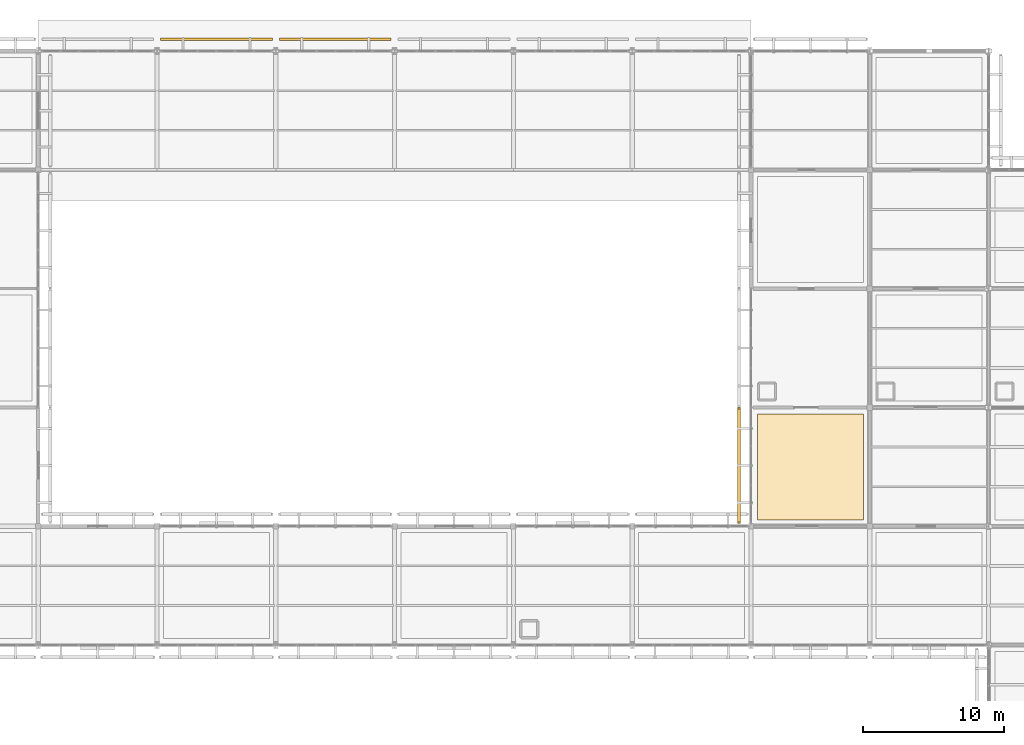
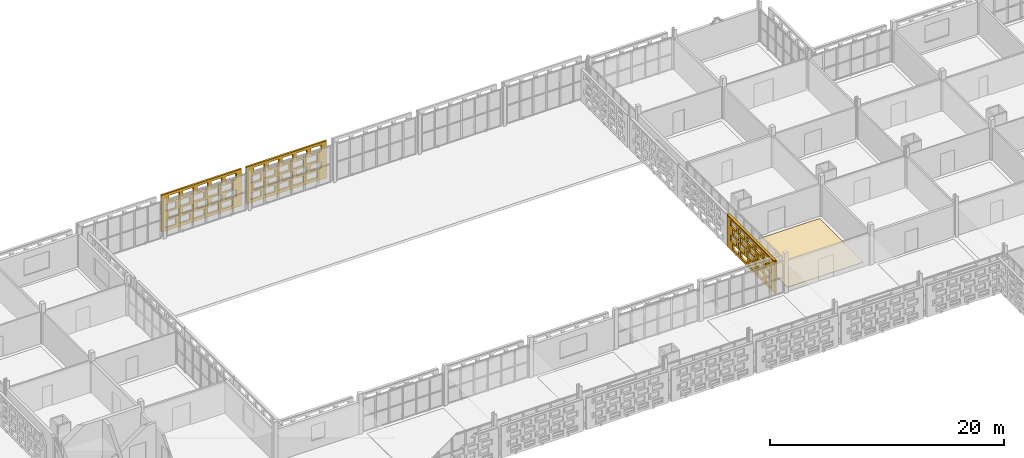
# One storey, part 147 of 166: 4 coverings, 1 shading device, 60 openings.
"""IFC4 building model written with IfcOpenShell, lengths in metres."""

import ifcopenshell
import ifcopenshell.guid

model = None  # the IFC model being written
_history = None  # IfcOwnerHistory: only IFC2X3 demands one
_inside = {}  # id of a spatial element -> (the spatial element, [elements in it])
_under = {}  # id of a project, library or spatial element -> (it, [spatial elements below it])
_declared = {}  # id of a project -> (the project, [libraries it declares])
_typed = {}  # id of a type object -> (the type object, [elements of that type])
_made_of = {}  # id of a material, layer set ... -> (it, [elements and type objects made of it])


def new_model(schema):
    """Start an empty IFC model of exactly this schema.

    Asked for "IFC4X3", IfcOpenShell would pick the latest addendum, in which some entities
    have other attributes; the version numbers below select the first issue.
    IFC2X3 requires an IfcOwnerHistory on every rooted entity: one is made here for all.
    """
    global model, _history
    if schema == "IFC4X3":
        model = ifcopenshell.file(schema_version=(4, 3, 0, 0))
    else:
        model = ifcopenshell.file(schema=schema)
    _inside.clear()
    _under.clear()
    _declared.clear()
    _typed.clear()
    _made_of.clear()
    _history = None
    if model.schema == "IFC2X3":
        org = make("IfcOrganization", Name="unknown")
        user = make(
            "IfcPersonAndOrganization",
            ThePerson=make("IfcPerson", FamilyName="unknown"),
            TheOrganization=org,
        )
        app = make(
            "IfcApplication",
            ApplicationDeveloper=org,
            Version="unknown",
            ApplicationFullName="unknown",
            ApplicationIdentifier="unknown",
        )
        _history = make(
            "IfcOwnerHistory",
            OwningUser=user,
            OwningApplication=app,
            ChangeAction="ADDED",
            CreationDate=0,
        )
    return model


def make(cls, **values):
    """One entity of the class cls with the attributes given. An attribute that is None is left unset."""
    return model.create_entity(
        cls, **{name: value for name, value in values.items() if value is not None}
    )


def rooted(cls, **values):
    """An entity with a GlobalId (a new one), such as an element, a storey or a relation."""
    return make(cls, GlobalId=ifcopenshell.guid.new(), OwnerHistory=_history, **values)


def si_unit(unit_type, name, prefix=None):
    """IfcSIUnit, for example si_unit("LENGTHUNIT", "METRE", prefix="MILLI")."""
    return make("IfcSIUnit", UnitType=unit_type, Prefix=prefix, Name=name)


def assignment(units):
    """IfcUnitAssignment: the units of a project."""
    return None if units is None else make("IfcUnitAssignment", Units=units)


def point(xyz):
    """IfcCartesianPoint."""
    return None if xyz is None else make("IfcCartesianPoint", Coordinates=xyz)


def direction(xyz):
    """IfcDirection."""
    return None if xyz is None else make("IfcDirection", DirectionRatios=xyz)


def frame(location, z_axis=None, x_axis=None):
    """IfcAxis2Placement3D, a coordinate frame: its origin and axes. An axis left out is left unset."""
    return make(
        "IfcAxis2Placement3D",
        Location=point(location),
        Axis=direction(z_axis),
        RefDirection=direction(x_axis),
    )


def frame_2d(location, x_axis=None):
    """IfcAxis2Placement2D, a coordinate frame in the plane: its origin and x axis."""
    return make(
        "IfcAxis2Placement2D", Location=point(location), RefDirection=direction(x_axis)
    )


def origin():
    """The frame at (0, 0, 0) with its axes left unset."""
    return frame((0.0, 0.0, 0.0))


def origin_2d():
    """The frame at (0, 0) in the plane with its x axis left unset."""
    return frame_2d((0.0, 0.0))


def place(relative_to, where):
    """IfcLocalPlacement: puts the frame where relative to a parent placement (None: the world)."""
    return make(
        "IfcLocalPlacement", PlacementRelTo=relative_to, RelativePlacement=where
    )


def context(
    kind, dimensions, precision=None, world=None, true_north=None, identifier=None
):
    """IfcGeometricRepresentationContext, for example the 3D "Model" context."""
    return make(
        "IfcGeometricRepresentationContext",
        ContextIdentifier=identifier,
        ContextType=kind,
        CoordinateSpaceDimension=dimensions,
        Precision=precision,
        WorldCoordinateSystem=world,
        TrueNorth=true_north,
    )


def subcontext(parent, identifier, kind, view, scale=None):
    """IfcGeometricRepresentationSubContext, for example "Body" below "Model"."""
    return make(
        "IfcGeometricRepresentationSubContext",
        ContextIdentifier=identifier,
        ContextType=kind,
        ParentContext=parent,
        TargetScale=scale,
        TargetView=view,
    )


def project(units=None, contexts=None):
    """IfcProject with its units and contexts."""
    return rooted(
        "IfcProject",
        Name="project",
        RepresentationContexts=contexts,
        UnitsInContext=assignment(units),
    )


def spatial(cls, under=None, at=None, **own):
    """A site, building, storey or space (cls), placed at a placement, below another one or the project."""
    s = rooted(cls, ObjectPlacement=at, **own)
    if under is not None:
        _under.setdefault(under.id(), (under, []))[1].append(s)
    return s


def profile(cls, at=None, kind="AREA", **sizes):
    """A parametric profile (cls). Its sizes go by their IFC names, for example OverallWidth=200.0."""
    return make(cls, ProfileType=kind, Position=at, **sizes)


def rectangle(**sizes):
    """IfcRectangleProfileDef."""
    return profile("IfcRectangleProfileDef", **sizes)


def extrude(swept, where, along, depth):
    """IfcExtrudedAreaSolid: the profile swept, set in the frame where, extruded along a direction by depth."""
    return make(
        "IfcExtrudedAreaSolid",
        SweptArea=swept,
        Position=where,
        ExtrudedDirection=direction(along),
        Depth=depth,
    )


def shape(context_of_items, identifier, shape_type, items):
    """IfcShapeRepresentation: the items that make up one representation, for example the "Body"."""
    return make(
        "IfcShapeRepresentation",
        ContextOfItems=context_of_items,
        RepresentationIdentifier=identifier,
        RepresentationType=shape_type,
        Items=items,
    )


def material(Name=None, Category=None):
    """IfcMaterial."""
    return make("IfcMaterial", Name=Name, Category=Category)


def layer(
    of_material, thickness, ventilated=None, Name=None, Category=None, Priority=None
):
    """IfcMaterialLayer: one layer of a wall or slab, of a material (None: an air gap)."""
    return make(
        "IfcMaterialLayer",
        Material=of_material,
        LayerThickness=thickness,
        IsVentilated=ventilated,
        Name=Name,
        Category=Category,
        Priority=Priority,
    )


def layer_set(layers, Name=None):
    """IfcMaterialLayerSet."""
    return make("IfcMaterialLayerSet", MaterialLayers=layers, LayerSetName=Name)


def made_of(thing, what):
    """Note that an element or type object is made of a material, layer set ...; save() writes the relation."""
    if what is not None:
        _made_of.setdefault(what.id(), (what, []))[1].append(thing)
    return thing


def type_object(cls, material=None, **own):
    """A type object (cls), such as IfcWallType, which elements share."""
    return made_of(rooted(cls, **own), material)


def element(
    cls,
    number,
    at=None,
    inside=None,
    cuts=None,
    type_object=None,
    material=None,
    context=None,
    identifier="Body",
    shape_type=None,
    held_by="IfcProductDefinitionShape",
    body=None,
    shapes=None,
    **own,
):
    """One element of the class cls, such as IfcWall. Its Tag is "e" and its number.

    at: its placement. inside: the storey or other place that contains it. cuts: it is an
    opening in that element (IfcRelVoidsElement). A single representation is given by context,
    identifier, shape_type and body (its items); several are given by shapes. held_by: the class
    of the entity that holds the representations. save() writes the other relations.
    """
    e = rooted(cls, Tag="e%d" % number, ObjectPlacement=at, **own)
    if body is not None:
        shapes = [shape(context, identifier, shape_type, body)]
    if shapes is not None:
        e.Representation = make(held_by, Representations=shapes)
    if inside is not None:
        _inside.setdefault(inside.id(), (inside, []))[1].append(e)
    if cuts is not None:
        rooted(
            "IfcRelVoidsElement", RelatingBuildingElement=cuts, RelatedOpeningElement=e
        )
    if type_object is not None:
        _typed.setdefault(type_object.id(), (type_object, []))[1].append(e)
    return made_of(e, material)


def aggregate(whole, parts):
    """IfcRelAggregates: a whole, such as a stair, and the parts it consists of."""
    return rooted("IfcRelAggregates", RelatingObject=whole, RelatedObjects=parts)


def save(model, path):
    """Write the relations noted so far, then the file.

    IfcRelAggregates (storeys below a building ...), IfcRelContainedInSpatialStructure (elements
    in a storey), IfcRelDefinesByType, IfcRelAssociatesMaterial and IfcRelDeclares: one each for
    every whole, place, type object, material and project.
    """
    for whole, parts in _under.values():
        aggregate(whole, parts)
    for where, things in _inside.values():
        rooted(
            "IfcRelContainedInSpatialStructure",
            RelatedElements=things,
            RelatingStructure=where,
        )
    for kind, things in _typed.values():
        rooted("IfcRelDefinesByType", RelatedObjects=things, RelatingType=kind)
    for what, things in _made_of.values():
        rooted("IfcRelAssociatesMaterial", RelatedObjects=things, RelatingMaterial=what)
    for by, libraries in _declared.values():
        rooted("IfcRelDeclares", RelatingContext=by, RelatedDefinitions=libraries)
    model.write(path)


model = new_model("IFC4")

# Units and contexts
model_context = context("Model", 3, precision=1e-05, world=origin(), true_north=direction((0.0, 1.0)))
body_context = subcontext(model_context, "Body", "Model", "MODEL_VIEW")
ifc_project = project(units=[si_unit("LENGTHUNIT", "METRE"), si_unit("AREAUNIT", "SQUARE_METRE"), si_unit("VOLUMEUNIT", "CUBIC_METRE"), si_unit("PLANEANGLEUNIT", "RADIAN"), si_unit("MASSUNIT", "GRAM", prefix="KILO")], contexts=[model_context])

# Site, building, storey
site_placement = place(None, origin())
site = spatial("IfcSite", under=ifc_project, at=site_placement, CompositionType="ELEMENT")
building_placement = place(site_placement, origin())
building = spatial("IfcBuilding", under=site, at=building_placement, Name="Varnapada Polytechnic", CompositionType="ELEMENT")
storey_placement = place(building_placement, frame((0.0, 0.0, 9.60009765625)))
storey = spatial("IfcBuildingStorey", under=building, at=storey_placement, Name="L02", CompositionType="ELEMENT", Elevation=9.60009765625)

# Covering
ifc_material_1 = material(Name="End-Grain Timber Studio Block Flooring", Category="wood")
ifc_layer_1 = layer(ifc_material_1, 0.054931640625)
ifc_layer_set_1 = layer_set([ifc_layer_1], Name="End-Grain Timber Studio Block Flooring")
covering_type_1 = type_object("IfcCoveringType", Name="Floor Finish FLR-04", PredefinedType="FLOORING", material=ifc_layer_set_1)
covering_1_placement = place(storey_placement, frame((121.800048828125, 96.60009765625, 0.0), z_axis=(0.0, 0.0, 1.0), x_axis=(1.0, 0.0, 0.0)))
element("IfcCovering", 1, at=covering_1_placement, inside=storey, type_object=covering_type_1, Name="L02 floor finish panel (15,12)", PredefinedType="FLOORING", context=body_context, shape_type="SweptSolid", body=[
    extrude(rectangle(XDim=7.5, YDim=7.5, at=origin_2d()), origin(), (0.0, 0.0, 1.0), 0.054931640625),
])

# Covering, openings
ifc_material_2 = material(Name="Earth-toned architectural terracotta screen block", Category="masonry")
ifc_layer_2 = layer(ifc_material_2, 0.1201171875)
ifc_layer_set_2 = layer_set([ifc_layer_2], Name="Earth-toned architectural terracotta screen block")
covering_type_2 = type_object("IfcCoveringType", Name="Terracotta Screen Cladding CLD-01", PredefinedType="CLADDING", material=ifc_layer_set_2)
covering_2_placement = place(storey_placement, frame((116.75, 92.590087890625, 0.0), z_axis=(0.0, 0.0, 1.0), x_axis=(0.0, 1.0, 0.0)))
covering_2 = element("IfcCovering", 2, at=covering_2_placement, inside=storey, type_object=covering_type_2, Name="L02 perforated terracotta block screen (71)", PredefinedType="CLADDING", context=body_context, shape_type="SweptSolid", body=[
    extrude(rectangle(XDim=8.2099609375, YDim=0.179931640625, at=frame_2d((4.10498046875, 0.0))), origin(), (0.0, 0.0, 1.0), 3.31982421875),
])
opening_1_placement = place(covering_2_placement, frame((0.60498046875, 0.0, 0.265625)))
element("IfcOpeningElement", 3, at=opening_1_placement, cuts=covering_2, Name="Screen perforation TBS-L02-070.1", PredefinedType="OPENING", context=body_context, shape_type="SweptSolid", body=[
    extrude(rectangle(XDim=1.0400390625, YDim=0.5810546875, at=frame_2d((0.52001953125, 0.29052734375))), frame((0.0, 0.099853515625, 0.0), z_axis=(0.0, -1.0, 0.0), x_axis=(1.0, 0.0, 0.0)), (0.0, 0.0, 1.0), 0.199951171875),
])
opening_2_placement = place(covering_2_placement, frame((2.0048828125, 0.0, 0.265625)))
element("IfcOpeningElement", 4, at=opening_2_placement, cuts=covering_2, Name="Screen perforation TBS-L02-070.2", PredefinedType="OPENING", context=body_context, shape_type="SweptSolid", body=[
    extrude(rectangle(XDim=1.0400390625, YDim=0.5810546875, at=frame_2d((0.52001953125, 0.29052734375))), frame((0.0, 0.099853515625, 0.0), z_axis=(0.0, -1.0, 0.0), x_axis=(1.0, 0.0, 0.0)), (0.0, 0.0, 1.0), 0.199951171875),
])
opening_3_placement = place(covering_2_placement, frame((3.405029296875, 0.0, 0.265625)))
element("IfcOpeningElement", 5, at=opening_3_placement, cuts=covering_2, Name="Screen perforation TBS-L02-070.3", PredefinedType="OPENING", context=body_context, shape_type="SweptSolid", body=[
    extrude(rectangle(XDim=1.0400390625, YDim=0.5810546875, at=frame_2d((0.52001953125, 0.29052734375))), frame((0.0, 0.099853515625, 0.0), z_axis=(0.0, -1.0, 0.0), x_axis=(1.0, 0.0, 0.0)), (0.0, 0.0, 1.0), 0.199951171875),
])
opening_4_placement = place(covering_2_placement, frame((4.804931640625, 0.0, 0.265625)))
element("IfcOpeningElement", 6, at=opening_4_placement, cuts=covering_2, Name="Screen perforation TBS-L02-070.4", PredefinedType="OPENING", context=body_context, shape_type="SweptSolid", body=[
    extrude(rectangle(XDim=1.0400390625, YDim=0.5810546875, at=frame_2d((0.52001953125, 0.29052734375))), frame((0.0, 0.099853515625, 0.0), z_axis=(0.0, -1.0, 0.0), x_axis=(1.0, 0.0, 0.0)), (0.0, 0.0, 1.0), 0.199951171875),
])
opening_5_placement = place(covering_2_placement, frame((6.205078125, 0.0, 0.265625)))
element("IfcOpeningElement", 7, at=opening_5_placement, cuts=covering_2, Name="Screen perforation TBS-L02-070.5", PredefinedType="OPENING", context=body_context, shape_type="SweptSolid", body=[
    extrude(rectangle(XDim=1.0400390625, YDim=0.5810546875, at=frame_2d((0.52001953125, 0.29052734375))), frame((0.0, 0.099853515625, 0.0), z_axis=(0.0, -1.0, 0.0), x_axis=(1.0, 0.0, 0.0)), (0.0, 0.0, 1.0), 0.199951171875),
])
opening_6_placement = place(covering_2_placement, frame((0.965087890625, 0.0, 1.0126953125)))
element("IfcOpeningElement", 8, at=opening_6_placement, cuts=covering_2, Name="Screen perforation TBS-L02-070.6", PredefinedType="OPENING", context=body_context, shape_type="SweptSolid", body=[
    extrude(rectangle(XDim=1.0400390625, YDim=0.5810546875, at=frame_2d((0.52001953125, 0.29052734375))), frame((0.0, 0.099853515625, 0.0), z_axis=(0.0, -1.0, 0.0), x_axis=(1.0, 0.0, 0.0)), (0.0, 0.0, 1.0), 0.199951171875),
])
opening_7_placement = place(covering_2_placement, frame((2.364990234375, 0.0, 1.0126953125)))
element("IfcOpeningElement", 9, at=opening_7_placement, cuts=covering_2, Name="Screen perforation TBS-L02-070.7", PredefinedType="OPENING", context=body_context, shape_type="SweptSolid", body=[
    extrude(rectangle(XDim=1.0400390625, YDim=0.5810546875, at=frame_2d((0.52001953125, 0.29052734375))), frame((0.0, 0.099853515625, 0.0), z_axis=(0.0, -1.0, 0.0), x_axis=(1.0, 0.0, 0.0)), (0.0, 0.0, 1.0), 0.199951171875),
])
opening_8_placement = place(covering_2_placement, frame((3.764892578125, 0.0, 1.0126953125)))
element("IfcOpeningElement", 10, at=opening_8_placement, cuts=covering_2, Name="Screen perforation TBS-L02-070.8", PredefinedType="OPENING", context=body_context, shape_type="SweptSolid", body=[
    extrude(rectangle(XDim=1.0400390625, YDim=0.5810546875, at=frame_2d((0.52001953125, 0.29052734375))), frame((0.0, 0.099853515625, 0.0), z_axis=(0.0, -1.0, 0.0), x_axis=(1.0, 0.0, 0.0)), (0.0, 0.0, 1.0), 0.199951171875),
])
opening_9_placement = place(covering_2_placement, frame((5.1650390625, 0.0, 1.0126953125)))
element("IfcOpeningElement", 11, at=opening_9_placement, cuts=covering_2, Name="Screen perforation TBS-L02-070.9", PredefinedType="OPENING", context=body_context, shape_type="SweptSolid", body=[
    extrude(rectangle(XDim=1.0400390625, YDim=0.5810546875, at=frame_2d((0.52001953125, 0.29052734375))), frame((0.0, 0.099853515625, 0.0), z_axis=(0.0, -1.0, 0.0), x_axis=(1.0, 0.0, 0.0)), (0.0, 0.0, 1.0), 0.199951171875),
])
opening_10_placement = place(covering_2_placement, frame((6.56494140625, 0.0, 1.0126953125)))
element("IfcOpeningElement", 12, at=opening_10_placement, cuts=covering_2, Name="Screen perforation TBS-L02-070.10", PredefinedType="OPENING", context=body_context, shape_type="SweptSolid", body=[
    extrude(rectangle(XDim=1.0400390625, YDim=0.5810546875, at=frame_2d((0.52001953125, 0.29052734375))), frame((0.0, 0.099853515625, 0.0), z_axis=(0.0, -1.0, 0.0), x_axis=(1.0, 0.0, 0.0)), (0.0, 0.0, 1.0), 0.199951171875),
])
opening_11_placement = place(covering_2_placement, frame((0.60498046875, 0.0, 1.759521484375)))
element("IfcOpeningElement", 13, at=opening_11_placement, cuts=covering_2, Name="Screen perforation TBS-L02-070.11", PredefinedType="OPENING", context=body_context, shape_type="SweptSolid", body=[
    extrude(rectangle(XDim=1.0400390625, YDim=0.5810546875, at=frame_2d((0.52001953125, 0.29052734375))), frame((0.0, 0.099853515625, 0.0), z_axis=(0.0, -1.0, 0.0), x_axis=(1.0, 0.0, 0.0)), (0.0, 0.0, 1.0), 0.199951171875),
])
opening_12_placement = place(covering_2_placement, frame((2.0048828125, 0.0, 1.759521484375)))
element("IfcOpeningElement", 14, at=opening_12_placement, cuts=covering_2, Name="Screen perforation TBS-L02-070.12", PredefinedType="OPENING", context=body_context, shape_type="SweptSolid", body=[
    extrude(rectangle(XDim=1.0400390625, YDim=0.5810546875, at=frame_2d((0.52001953125, 0.29052734375))), frame((0.0, 0.099853515625, 0.0), z_axis=(0.0, -1.0, 0.0), x_axis=(1.0, 0.0, 0.0)), (0.0, 0.0, 1.0), 0.199951171875),
])
opening_13_placement = place(covering_2_placement, frame((3.405029296875, 0.0, 1.759521484375)))
element("IfcOpeningElement", 15, at=opening_13_placement, cuts=covering_2, Name="Screen perforation TBS-L02-070.13", PredefinedType="OPENING", context=body_context, shape_type="SweptSolid", body=[
    extrude(rectangle(XDim=1.0400390625, YDim=0.5810546875, at=frame_2d((0.52001953125, 0.29052734375))), frame((0.0, 0.099853515625, 0.0), z_axis=(0.0, -1.0, 0.0), x_axis=(1.0, 0.0, 0.0)), (0.0, 0.0, 1.0), 0.199951171875),
])
opening_14_placement = place(covering_2_placement, frame((4.804931640625, 0.0, 1.759521484375)))
element("IfcOpeningElement", 16, at=opening_14_placement, cuts=covering_2, Name="Screen perforation TBS-L02-070.14", PredefinedType="OPENING", context=body_context, shape_type="SweptSolid", body=[
    extrude(rectangle(XDim=1.0400390625, YDim=0.5810546875, at=frame_2d((0.52001953125, 0.29052734375))), frame((0.0, 0.099853515625, 0.0), z_axis=(0.0, -1.0, 0.0), x_axis=(1.0, 0.0, 0.0)), (0.0, 0.0, 1.0), 0.199951171875),
])
opening_15_placement = place(covering_2_placement, frame((6.205078125, 0.0, 1.759521484375)))
element("IfcOpeningElement", 17, at=opening_15_placement, cuts=covering_2, Name="Screen perforation TBS-L02-070.15", PredefinedType="OPENING", context=body_context, shape_type="SweptSolid", body=[
    extrude(rectangle(XDim=1.0400390625, YDim=0.5810546875, at=frame_2d((0.52001953125, 0.29052734375))), frame((0.0, 0.099853515625, 0.0), z_axis=(0.0, -1.0, 0.0), x_axis=(1.0, 0.0, 0.0)), (0.0, 0.0, 1.0), 0.199951171875),
])
opening_16_placement = place(covering_2_placement, frame((0.965087890625, 0.0, 2.506591796875)))
element("IfcOpeningElement", 18, at=opening_16_placement, cuts=covering_2, Name="Screen perforation TBS-L02-070.16", PredefinedType="OPENING", context=body_context, shape_type="SweptSolid", body=[
    extrude(rectangle(XDim=1.0400390625, YDim=0.5810546875, at=frame_2d((0.52001953125, 0.29052734375))), frame((0.0, 0.099853515625, 0.0), z_axis=(0.0, -1.0, 0.0), x_axis=(1.0, 0.0, 0.0)), (0.0, 0.0, 1.0), 0.199951171875),
])
opening_17_placement = place(covering_2_placement, frame((2.364990234375, 0.0, 2.506591796875)))
element("IfcOpeningElement", 19, at=opening_17_placement, cuts=covering_2, Name="Screen perforation TBS-L02-070.17", PredefinedType="OPENING", context=body_context, shape_type="SweptSolid", body=[
    extrude(rectangle(XDim=1.0400390625, YDim=0.5810546875, at=frame_2d((0.52001953125, 0.29052734375))), frame((0.0, 0.099853515625, 0.0), z_axis=(0.0, -1.0, 0.0), x_axis=(1.0, 0.0, 0.0)), (0.0, 0.0, 1.0), 0.199951171875),
])
opening_18_placement = place(covering_2_placement, frame((3.764892578125, 0.0, 2.506591796875)))
element("IfcOpeningElement", 20, at=opening_18_placement, cuts=covering_2, Name="Screen perforation TBS-L02-070.18", PredefinedType="OPENING", context=body_context, shape_type="SweptSolid", body=[
    extrude(rectangle(XDim=1.0400390625, YDim=0.5810546875, at=frame_2d((0.52001953125, 0.29052734375))), frame((0.0, 0.099853515625, 0.0), z_axis=(0.0, -1.0, 0.0), x_axis=(1.0, 0.0, 0.0)), (0.0, 0.0, 1.0), 0.199951171875),
])
opening_19_placement = place(covering_2_placement, frame((5.1650390625, 0.0, 2.506591796875)))
element("IfcOpeningElement", 21, at=opening_19_placement, cuts=covering_2, Name="Screen perforation TBS-L02-070.19", PredefinedType="OPENING", context=body_context, shape_type="SweptSolid", body=[
    extrude(rectangle(XDim=1.0400390625, YDim=0.5810546875, at=frame_2d((0.52001953125, 0.29052734375))), frame((0.0, 0.099853515625, 0.0), z_axis=(0.0, -1.0, 0.0), x_axis=(1.0, 0.0, 0.0)), (0.0, 0.0, 1.0), 0.199951171875),
])
opening_20_placement = place(covering_2_placement, frame((6.56494140625, 0.0, 2.506591796875)))
element("IfcOpeningElement", 22, at=opening_20_placement, cuts=covering_2, Name="Screen perforation TBS-L02-070.20", PredefinedType="OPENING", context=body_context, shape_type="SweptSolid", body=[
    extrude(rectangle(XDim=1.0400390625, YDim=0.5810546875, at=frame_2d((0.52001953125, 0.29052734375))), frame((0.0, 0.099853515625, 0.0), z_axis=(0.0, -1.0, 0.0), x_axis=(1.0, 0.0, 0.0)), (0.0, 0.0, 1.0), 0.199951171875),
])

covering_3_placement = place(storey_placement, frame((75.85009765625, 126.85009765625, 0.0), z_axis=(0.0, 0.0, 1.0), x_axis=(1.0, 0.0, 0.0)))
covering_3 = element("IfcCovering", 23, at=covering_3_placement, inside=storey, type_object=covering_type_2, Name="L02 high-bay workshop north terracotta screen 10", PredefinedType="CLADDING", context=body_context, shape_type="SweptSolid", body=[
    extrude(rectangle(XDim=7.89990234375, YDim=0.179931640625, at=frame_2d((3.949951171875, 0.0))), origin(), (0.0, 0.0, 1.0), 3.849853515625),
])
opening_21_placement = place(covering_3_placement, frame((0.3701171875, 0.0, 0.30810546875)))
element("IfcOpeningElement", 24, at=opening_21_placement, cuts=covering_3, Name="Screen perforation TBS-WK-L02-09.1", PredefinedType="OPENING", context=body_context, shape_type="SweptSolid", body=[
    extrude(rectangle(XDim=1.0400390625, YDim=0.673583984375, at=frame_2d((0.52001953125, 0.3369140625))), frame((0.0, 0.099853515625, 0.0), z_axis=(0.0, -1.0, 0.0), x_axis=(1.0, 0.0, 0.0)), (0.0, 0.0, 1.0), 0.199951171875),
])
opening_22_placement = place(covering_3_placement, frame((1.77001953125, 0.0, 0.30810546875)))
element("IfcOpeningElement", 25, at=opening_22_placement, cuts=covering_3, Name="Screen perforation TBS-WK-L02-09.2", PredefinedType="OPENING", context=body_context, shape_type="SweptSolid", body=[
    extrude(rectangle(XDim=1.0400390625, YDim=0.673583984375, at=frame_2d((0.52001953125, 0.3369140625))), frame((0.0, 0.099853515625, 0.0), z_axis=(0.0, -1.0, 0.0), x_axis=(1.0, 0.0, 0.0)), (0.0, 0.0, 1.0), 0.199951171875),
])
opening_23_placement = place(covering_3_placement, frame((3.169921875, 0.0, 0.30810546875)))
element("IfcOpeningElement", 26, at=opening_23_placement, cuts=covering_3, Name="Screen perforation TBS-WK-L02-09.3", PredefinedType="OPENING", context=body_context, shape_type="SweptSolid", body=[
    extrude(rectangle(XDim=1.0400390625, YDim=0.673583984375, at=frame_2d((0.52001953125, 0.3369140625))), frame((0.0, 0.099853515625, 0.0), z_axis=(0.0, -1.0, 0.0), x_axis=(1.0, 0.0, 0.0)), (0.0, 0.0, 1.0), 0.199951171875),
])
opening_24_placement = place(covering_3_placement, frame((4.570068359375, 0.0, 0.30810546875)))
element("IfcOpeningElement", 27, at=opening_24_placement, cuts=covering_3, Name="Screen perforation TBS-WK-L02-09.4", PredefinedType="OPENING", context=body_context, shape_type="SweptSolid", body=[
    extrude(rectangle(XDim=1.0400390625, YDim=0.673583984375, at=frame_2d((0.52001953125, 0.3369140625))), frame((0.0, 0.099853515625, 0.0), z_axis=(0.0, -1.0, 0.0), x_axis=(1.0, 0.0, 0.0)), (0.0, 0.0, 1.0), 0.199951171875),
])
opening_25_placement = place(covering_3_placement, frame((5.969970703125, 0.0, 0.30810546875)))
element("IfcOpeningElement", 28, at=opening_25_placement, cuts=covering_3, Name="Screen perforation TBS-WK-L02-09.5", PredefinedType="OPENING", context=body_context, shape_type="SweptSolid", body=[
    extrude(rectangle(XDim=1.0400390625, YDim=0.673583984375, at=frame_2d((0.52001953125, 0.3369140625))), frame((0.0, 0.099853515625, 0.0), z_axis=(0.0, -1.0, 0.0), x_axis=(1.0, 0.0, 0.0)), (0.0, 0.0, 1.0), 0.199951171875),
])
opening_26_placement = place(covering_3_placement, frame((0.72998046875, 0.0, 1.17431640625)))
element("IfcOpeningElement", 29, at=opening_26_placement, cuts=covering_3, Name="Screen perforation TBS-WK-L02-09.6", PredefinedType="OPENING", context=body_context, shape_type="SweptSolid", body=[
    extrude(rectangle(XDim=1.0400390625, YDim=0.673583984375, at=frame_2d((0.52001953125, 0.3369140625))), frame((0.0, 0.099853515625, 0.0), z_axis=(0.0, -1.0, 0.0), x_axis=(1.0, 0.0, 0.0)), (0.0, 0.0, 1.0), 0.199951171875),
])
opening_27_placement = place(covering_3_placement, frame((2.1298828125, 0.0, 1.17431640625)))
element("IfcOpeningElement", 30, at=opening_27_placement, cuts=covering_3, Name="Screen perforation TBS-WK-L02-09.7", PredefinedType="OPENING", context=body_context, shape_type="SweptSolid", body=[
    extrude(rectangle(XDim=1.0400390625, YDim=0.673583984375, at=frame_2d((0.52001953125, 0.3369140625))), frame((0.0, 0.099853515625, 0.0), z_axis=(0.0, -1.0, 0.0), x_axis=(1.0, 0.0, 0.0)), (0.0, 0.0, 1.0), 0.199951171875),
])
opening_28_placement = place(covering_3_placement, frame((3.530029296875, 0.0, 1.17431640625)))
element("IfcOpeningElement", 31, at=opening_28_placement, cuts=covering_3, Name="Screen perforation TBS-WK-L02-09.8", PredefinedType="OPENING", context=body_context, shape_type="SweptSolid", body=[
    extrude(rectangle(XDim=1.0400390625, YDim=0.673583984375, at=frame_2d((0.52001953125, 0.3369140625))), frame((0.0, 0.099853515625, 0.0), z_axis=(0.0, -1.0, 0.0), x_axis=(1.0, 0.0, 0.0)), (0.0, 0.0, 1.0), 0.199951171875),
])
opening_29_placement = place(covering_3_placement, frame((4.929931640625, 0.0, 1.17431640625)))
element("IfcOpeningElement", 32, at=opening_29_placement, cuts=covering_3, Name="Screen perforation TBS-WK-L02-09.9", PredefinedType="OPENING", context=body_context, shape_type="SweptSolid", body=[
    extrude(rectangle(XDim=1.0400390625, YDim=0.673583984375, at=frame_2d((0.52001953125, 0.3369140625))), frame((0.0, 0.099853515625, 0.0), z_axis=(0.0, -1.0, 0.0), x_axis=(1.0, 0.0, 0.0)), (0.0, 0.0, 1.0), 0.199951171875),
])
opening_30_placement = place(covering_3_placement, frame((6.330078125, 0.0, 1.17431640625)))
element("IfcOpeningElement", 33, at=opening_30_placement, cuts=covering_3, Name="Screen perforation TBS-WK-L02-09.10", PredefinedType="OPENING", context=body_context, shape_type="SweptSolid", body=[
    extrude(rectangle(XDim=1.0400390625, YDim=0.673583984375, at=frame_2d((0.52001953125, 0.3369140625))), frame((0.0, 0.099853515625, 0.0), z_axis=(0.0, -1.0, 0.0), x_axis=(1.0, 0.0, 0.0)), (0.0, 0.0, 1.0), 0.199951171875),
])
opening_31_placement = place(covering_3_placement, frame((0.3701171875, 0.0, 2.04052734375)))
element("IfcOpeningElement", 34, at=opening_31_placement, cuts=covering_3, Name="Screen perforation TBS-WK-L02-09.11", PredefinedType="OPENING", context=body_context, shape_type="SweptSolid", body=[
    extrude(rectangle(XDim=1.0400390625, YDim=0.673583984375, at=frame_2d((0.52001953125, 0.3369140625))), frame((0.0, 0.099853515625, 0.0), z_axis=(0.0, -1.0, 0.0), x_axis=(1.0, 0.0, 0.0)), (0.0, 0.0, 1.0), 0.199951171875),
])
opening_32_placement = place(covering_3_placement, frame((1.77001953125, 0.0, 2.04052734375)))
element("IfcOpeningElement", 35, at=opening_32_placement, cuts=covering_3, Name="Screen perforation TBS-WK-L02-09.12", PredefinedType="OPENING", context=body_context, shape_type="SweptSolid", body=[
    extrude(rectangle(XDim=1.0400390625, YDim=0.673583984375, at=frame_2d((0.52001953125, 0.3369140625))), frame((0.0, 0.099853515625, 0.0), z_axis=(0.0, -1.0, 0.0), x_axis=(1.0, 0.0, 0.0)), (0.0, 0.0, 1.0), 0.199951171875),
])
opening_33_placement = place(covering_3_placement, frame((3.169921875, 0.0, 2.04052734375)))
element("IfcOpeningElement", 36, at=opening_33_placement, cuts=covering_3, Name="Screen perforation TBS-WK-L02-09.13", PredefinedType="OPENING", context=body_context, shape_type="SweptSolid", body=[
    extrude(rectangle(XDim=1.0400390625, YDim=0.673583984375, at=frame_2d((0.52001953125, 0.3369140625))), frame((0.0, 0.099853515625, 0.0), z_axis=(0.0, -1.0, 0.0), x_axis=(1.0, 0.0, 0.0)), (0.0, 0.0, 1.0), 0.199951171875),
])
opening_34_placement = place(covering_3_placement, frame((4.570068359375, 0.0, 2.04052734375)))
element("IfcOpeningElement", 37, at=opening_34_placement, cuts=covering_3, Name="Screen perforation TBS-WK-L02-09.14", PredefinedType="OPENING", context=body_context, shape_type="SweptSolid", body=[
    extrude(rectangle(XDim=1.0400390625, YDim=0.673583984375, at=frame_2d((0.52001953125, 0.3369140625))), frame((0.0, 0.099853515625, 0.0), z_axis=(0.0, -1.0, 0.0), x_axis=(1.0, 0.0, 0.0)), (0.0, 0.0, 1.0), 0.199951171875),
])
opening_35_placement = place(covering_3_placement, frame((5.969970703125, 0.0, 2.04052734375)))
element("IfcOpeningElement", 38, at=opening_35_placement, cuts=covering_3, Name="Screen perforation TBS-WK-L02-09.15", PredefinedType="OPENING", context=body_context, shape_type="SweptSolid", body=[
    extrude(rectangle(XDim=1.0400390625, YDim=0.673583984375, at=frame_2d((0.52001953125, 0.3369140625))), frame((0.0, 0.099853515625, 0.0), z_axis=(0.0, -1.0, 0.0), x_axis=(1.0, 0.0, 0.0)), (0.0, 0.0, 1.0), 0.199951171875),
])
opening_36_placement = place(covering_3_placement, frame((0.72998046875, 0.0, 2.90673828125)))
element("IfcOpeningElement", 39, at=opening_36_placement, cuts=covering_3, Name="Screen perforation TBS-WK-L02-09.16", PredefinedType="OPENING", context=body_context, shape_type="SweptSolid", body=[
    extrude(rectangle(XDim=1.0400390625, YDim=0.673583984375, at=frame_2d((0.52001953125, 0.3369140625))), frame((0.0, 0.099853515625, 0.0), z_axis=(0.0, -1.0, 0.0), x_axis=(1.0, 0.0, 0.0)), (0.0, 0.0, 1.0), 0.199951171875),
])
opening_37_placement = place(covering_3_placement, frame((2.1298828125, 0.0, 2.90673828125)))
element("IfcOpeningElement", 40, at=opening_37_placement, cuts=covering_3, Name="Screen perforation TBS-WK-L02-09.17", PredefinedType="OPENING", context=body_context, shape_type="SweptSolid", body=[
    extrude(rectangle(XDim=1.0400390625, YDim=0.673583984375, at=frame_2d((0.52001953125, 0.3369140625))), frame((0.0, 0.099853515625, 0.0), z_axis=(0.0, -1.0, 0.0), x_axis=(1.0, 0.0, 0.0)), (0.0, 0.0, 1.0), 0.199951171875),
])
opening_38_placement = place(covering_3_placement, frame((3.530029296875, 0.0, 2.90673828125)))
element("IfcOpeningElement", 41, at=opening_38_placement, cuts=covering_3, Name="Screen perforation TBS-WK-L02-09.18", PredefinedType="OPENING", context=body_context, shape_type="SweptSolid", body=[
    extrude(rectangle(XDim=1.0400390625, YDim=0.673583984375, at=frame_2d((0.52001953125, 0.3369140625))), frame((0.0, 0.099853515625, 0.0), z_axis=(0.0, -1.0, 0.0), x_axis=(1.0, 0.0, 0.0)), (0.0, 0.0, 1.0), 0.199951171875),
])
opening_39_placement = place(covering_3_placement, frame((4.929931640625, 0.0, 2.90673828125)))
element("IfcOpeningElement", 42, at=opening_39_placement, cuts=covering_3, Name="Screen perforation TBS-WK-L02-09.19", PredefinedType="OPENING", context=body_context, shape_type="SweptSolid", body=[
    extrude(rectangle(XDim=1.0400390625, YDim=0.673583984375, at=frame_2d((0.52001953125, 0.3369140625))), frame((0.0, 0.099853515625, 0.0), z_axis=(0.0, -1.0, 0.0), x_axis=(1.0, 0.0, 0.0)), (0.0, 0.0, 1.0), 0.199951171875),
])
opening_40_placement = place(covering_3_placement, frame((6.330078125, 0.0, 2.90673828125)))
element("IfcOpeningElement", 43, at=opening_40_placement, cuts=covering_3, Name="Screen perforation TBS-WK-L02-09.20", PredefinedType="OPENING", context=body_context, shape_type="SweptSolid", body=[
    extrude(rectangle(XDim=1.0400390625, YDim=0.673583984375, at=frame_2d((0.52001953125, 0.3369140625))), frame((0.0, 0.099853515625, 0.0), z_axis=(0.0, -1.0, 0.0), x_axis=(1.0, 0.0, 0.0)), (0.0, 0.0, 1.0), 0.199951171875),
])

covering_4_placement = place(storey_placement, frame((84.25, 126.85009765625, 0.0), z_axis=(0.0, 0.0, 1.0), x_axis=(1.0, 0.0, 0.0)))
covering_4 = element("IfcCovering", 44, at=covering_4_placement, inside=storey, type_object=covering_type_2, Name="L02 high-bay workshop north terracotta screen 11", PredefinedType="CLADDING", context=body_context, shape_type="SweptSolid", body=[
    extrude(rectangle(XDim=7.89990234375, YDim=0.179931640625, at=frame_2d((3.949951171875, 0.0))), origin(), (0.0, 0.0, 1.0), 3.849853515625),
])
opening_41_placement = place(covering_4_placement, frame((0.3701171875, 0.0, 0.30810546875)))
element("IfcOpeningElement", 45, at=opening_41_placement, cuts=covering_4, Name="Screen perforation TBS-WK-L02-10.1", PredefinedType="OPENING", context=body_context, shape_type="SweptSolid", body=[
    extrude(rectangle(XDim=1.0400390625, YDim=0.673583984375, at=frame_2d((0.52001953125, 0.3369140625))), frame((0.0, 0.099853515625, 0.0), z_axis=(0.0, -1.0, 0.0), x_axis=(1.0, 0.0, 0.0)), (0.0, 0.0, 1.0), 0.199951171875),
])
opening_42_placement = place(covering_4_placement, frame((1.77001953125, 0.0, 0.30810546875)))
element("IfcOpeningElement", 46, at=opening_42_placement, cuts=covering_4, Name="Screen perforation TBS-WK-L02-10.2", PredefinedType="OPENING", context=body_context, shape_type="SweptSolid", body=[
    extrude(rectangle(XDim=1.0400390625, YDim=0.673583984375, at=frame_2d((0.52001953125, 0.3369140625))), frame((0.0, 0.099853515625, 0.0), z_axis=(0.0, -1.0, 0.0), x_axis=(1.0, 0.0, 0.0)), (0.0, 0.0, 1.0), 0.199951171875),
])
opening_43_placement = place(covering_4_placement, frame((3.169921875, 0.0, 0.30810546875)))
element("IfcOpeningElement", 47, at=opening_43_placement, cuts=covering_4, Name="Screen perforation TBS-WK-L02-10.3", PredefinedType="OPENING", context=body_context, shape_type="SweptSolid", body=[
    extrude(rectangle(XDim=1.0400390625, YDim=0.673583984375, at=frame_2d((0.52001953125, 0.3369140625))), frame((0.0, 0.099853515625, 0.0), z_axis=(0.0, -1.0, 0.0), x_axis=(1.0, 0.0, 0.0)), (0.0, 0.0, 1.0), 0.199951171875),
])
opening_44_placement = place(covering_4_placement, frame((4.570068359375, 0.0, 0.30810546875)))
element("IfcOpeningElement", 48, at=opening_44_placement, cuts=covering_4, Name="Screen perforation TBS-WK-L02-10.4", PredefinedType="OPENING", context=body_context, shape_type="SweptSolid", body=[
    extrude(rectangle(XDim=1.0400390625, YDim=0.673583984375, at=frame_2d((0.52001953125, 0.3369140625))), frame((0.0, 0.099853515625, 0.0), z_axis=(0.0, -1.0, 0.0), x_axis=(1.0, 0.0, 0.0)), (0.0, 0.0, 1.0), 0.199951171875),
])
opening_45_placement = place(covering_4_placement, frame((5.969970703125, 0.0, 0.30810546875)))
element("IfcOpeningElement", 49, at=opening_45_placement, cuts=covering_4, Name="Screen perforation TBS-WK-L02-10.5", PredefinedType="OPENING", context=body_context, shape_type="SweptSolid", body=[
    extrude(rectangle(XDim=1.0400390625, YDim=0.673583984375, at=frame_2d((0.52001953125, 0.3369140625))), frame((0.0, 0.099853515625, 0.0), z_axis=(0.0, -1.0, 0.0), x_axis=(1.0, 0.0, 0.0)), (0.0, 0.0, 1.0), 0.199951171875),
])
opening_46_placement = place(covering_4_placement, frame((0.72998046875, 0.0, 1.17431640625)))
element("IfcOpeningElement", 50, at=opening_46_placement, cuts=covering_4, Name="Screen perforation TBS-WK-L02-10.6", PredefinedType="OPENING", context=body_context, shape_type="SweptSolid", body=[
    extrude(rectangle(XDim=1.0400390625, YDim=0.673583984375, at=frame_2d((0.52001953125, 0.3369140625))), frame((0.0, 0.099853515625, 0.0), z_axis=(0.0, -1.0, 0.0), x_axis=(1.0, 0.0, 0.0)), (0.0, 0.0, 1.0), 0.199951171875),
])
opening_47_placement = place(covering_4_placement, frame((2.1298828125, 0.0, 1.17431640625)))
element("IfcOpeningElement", 51, at=opening_47_placement, cuts=covering_4, Name="Screen perforation TBS-WK-L02-10.7", PredefinedType="OPENING", context=body_context, shape_type="SweptSolid", body=[
    extrude(rectangle(XDim=1.0400390625, YDim=0.673583984375, at=frame_2d((0.52001953125, 0.3369140625))), frame((0.0, 0.099853515625, 0.0), z_axis=(0.0, -1.0, 0.0), x_axis=(1.0, 0.0, 0.0)), (0.0, 0.0, 1.0), 0.199951171875),
])
opening_48_placement = place(covering_4_placement, frame((3.530029296875, 0.0, 1.17431640625)))
element("IfcOpeningElement", 52, at=opening_48_placement, cuts=covering_4, Name="Screen perforation TBS-WK-L02-10.8", PredefinedType="OPENING", context=body_context, shape_type="SweptSolid", body=[
    extrude(rectangle(XDim=1.0400390625, YDim=0.673583984375, at=frame_2d((0.52001953125, 0.3369140625))), frame((0.0, 0.099853515625, 0.0), z_axis=(0.0, -1.0, 0.0), x_axis=(1.0, 0.0, 0.0)), (0.0, 0.0, 1.0), 0.199951171875),
])
opening_49_placement = place(covering_4_placement, frame((4.929931640625, 0.0, 1.17431640625)))
element("IfcOpeningElement", 53, at=opening_49_placement, cuts=covering_4, Name="Screen perforation TBS-WK-L02-10.9", PredefinedType="OPENING", context=body_context, shape_type="SweptSolid", body=[
    extrude(rectangle(XDim=1.0400390625, YDim=0.673583984375, at=frame_2d((0.52001953125, 0.3369140625))), frame((0.0, 0.099853515625, 0.0), z_axis=(0.0, -1.0, 0.0), x_axis=(1.0, 0.0, 0.0)), (0.0, 0.0, 1.0), 0.199951171875),
])
opening_50_placement = place(covering_4_placement, frame((6.330078125, 0.0, 1.17431640625)))
element("IfcOpeningElement", 54, at=opening_50_placement, cuts=covering_4, Name="Screen perforation TBS-WK-L02-10.10", PredefinedType="OPENING", context=body_context, shape_type="SweptSolid", body=[
    extrude(rectangle(XDim=1.0400390625, YDim=0.673583984375, at=frame_2d((0.52001953125, 0.3369140625))), frame((0.0, 0.099853515625, 0.0), z_axis=(0.0, -1.0, 0.0), x_axis=(1.0, 0.0, 0.0)), (0.0, 0.0, 1.0), 0.199951171875),
])
opening_51_placement = place(covering_4_placement, frame((0.3701171875, 0.0, 2.04052734375)))
element("IfcOpeningElement", 55, at=opening_51_placement, cuts=covering_4, Name="Screen perforation TBS-WK-L02-10.11", PredefinedType="OPENING", context=body_context, shape_type="SweptSolid", body=[
    extrude(rectangle(XDim=1.0400390625, YDim=0.673583984375, at=frame_2d((0.52001953125, 0.3369140625))), frame((0.0, 0.099853515625, 0.0), z_axis=(0.0, -1.0, 0.0), x_axis=(1.0, 0.0, 0.0)), (0.0, 0.0, 1.0), 0.199951171875),
])
opening_52_placement = place(covering_4_placement, frame((1.77001953125, 0.0, 2.04052734375)))
element("IfcOpeningElement", 56, at=opening_52_placement, cuts=covering_4, Name="Screen perforation TBS-WK-L02-10.12", PredefinedType="OPENING", context=body_context, shape_type="SweptSolid", body=[
    extrude(rectangle(XDim=1.0400390625, YDim=0.673583984375, at=frame_2d((0.52001953125, 0.3369140625))), frame((0.0, 0.099853515625, 0.0), z_axis=(0.0, -1.0, 0.0), x_axis=(1.0, 0.0, 0.0)), (0.0, 0.0, 1.0), 0.199951171875),
])
opening_53_placement = place(covering_4_placement, frame((3.169921875, 0.0, 2.04052734375)))
element("IfcOpeningElement", 57, at=opening_53_placement, cuts=covering_4, Name="Screen perforation TBS-WK-L02-10.13", PredefinedType="OPENING", context=body_context, shape_type="SweptSolid", body=[
    extrude(rectangle(XDim=1.0400390625, YDim=0.673583984375, at=frame_2d((0.52001953125, 0.3369140625))), frame((0.0, 0.099853515625, 0.0), z_axis=(0.0, -1.0, 0.0), x_axis=(1.0, 0.0, 0.0)), (0.0, 0.0, 1.0), 0.199951171875),
])
opening_54_placement = place(covering_4_placement, frame((4.570068359375, 0.0, 2.04052734375)))
element("IfcOpeningElement", 58, at=opening_54_placement, cuts=covering_4, Name="Screen perforation TBS-WK-L02-10.14", PredefinedType="OPENING", context=body_context, shape_type="SweptSolid", body=[
    extrude(rectangle(XDim=1.0400390625, YDim=0.673583984375, at=frame_2d((0.52001953125, 0.3369140625))), frame((0.0, 0.099853515625, 0.0), z_axis=(0.0, -1.0, 0.0), x_axis=(1.0, 0.0, 0.0)), (0.0, 0.0, 1.0), 0.199951171875),
])
opening_55_placement = place(covering_4_placement, frame((5.969970703125, 0.0, 2.04052734375)))
element("IfcOpeningElement", 59, at=opening_55_placement, cuts=covering_4, Name="Screen perforation TBS-WK-L02-10.15", PredefinedType="OPENING", context=body_context, shape_type="SweptSolid", body=[
    extrude(rectangle(XDim=1.0400390625, YDim=0.673583984375, at=frame_2d((0.52001953125, 0.3369140625))), frame((0.0, 0.099853515625, 0.0), z_axis=(0.0, -1.0, 0.0), x_axis=(1.0, 0.0, 0.0)), (0.0, 0.0, 1.0), 0.199951171875),
])
opening_56_placement = place(covering_4_placement, frame((0.72998046875, 0.0, 2.90673828125)))
element("IfcOpeningElement", 60, at=opening_56_placement, cuts=covering_4, Name="Screen perforation TBS-WK-L02-10.16", PredefinedType="OPENING", context=body_context, shape_type="SweptSolid", body=[
    extrude(rectangle(XDim=1.0400390625, YDim=0.673583984375, at=frame_2d((0.52001953125, 0.3369140625))), frame((0.0, 0.099853515625, 0.0), z_axis=(0.0, -1.0, 0.0), x_axis=(1.0, 0.0, 0.0)), (0.0, 0.0, 1.0), 0.199951171875),
])
opening_57_placement = place(covering_4_placement, frame((2.1298828125, 0.0, 2.90673828125)))
element("IfcOpeningElement", 61, at=opening_57_placement, cuts=covering_4, Name="Screen perforation TBS-WK-L02-10.17", PredefinedType="OPENING", context=body_context, shape_type="SweptSolid", body=[
    extrude(rectangle(XDim=1.0400390625, YDim=0.673583984375, at=frame_2d((0.52001953125, 0.3369140625))), frame((0.0, 0.099853515625, 0.0), z_axis=(0.0, -1.0, 0.0), x_axis=(1.0, 0.0, 0.0)), (0.0, 0.0, 1.0), 0.199951171875),
])
opening_58_placement = place(covering_4_placement, frame((3.530029296875, 0.0, 2.90673828125)))
element("IfcOpeningElement", 62, at=opening_58_placement, cuts=covering_4, Name="Screen perforation TBS-WK-L02-10.18", PredefinedType="OPENING", context=body_context, shape_type="SweptSolid", body=[
    extrude(rectangle(XDim=1.0400390625, YDim=0.673583984375, at=frame_2d((0.52001953125, 0.3369140625))), frame((0.0, 0.099853515625, 0.0), z_axis=(0.0, -1.0, 0.0), x_axis=(1.0, 0.0, 0.0)), (0.0, 0.0, 1.0), 0.199951171875),
])
opening_59_placement = place(covering_4_placement, frame((4.929931640625, 0.0, 2.90673828125)))
element("IfcOpeningElement", 63, at=opening_59_placement, cuts=covering_4, Name="Screen perforation TBS-WK-L02-10.19", PredefinedType="OPENING", context=body_context, shape_type="SweptSolid", body=[
    extrude(rectangle(XDim=1.0400390625, YDim=0.673583984375, at=frame_2d((0.52001953125, 0.3369140625))), frame((0.0, 0.099853515625, 0.0), z_axis=(0.0, -1.0, 0.0), x_axis=(1.0, 0.0, 0.0)), (0.0, 0.0, 1.0), 0.199951171875),
])
opening_60_placement = place(covering_4_placement, frame((6.330078125, 0.0, 2.90673828125)))
element("IfcOpeningElement", 64, at=opening_60_placement, cuts=covering_4, Name="Screen perforation TBS-WK-L02-10.20", PredefinedType="OPENING", context=body_context, shape_type="SweptSolid", body=[
    extrude(rectangle(XDim=1.0400390625, YDim=0.673583984375, at=frame_2d((0.52001953125, 0.3369140625))), frame((0.0, 0.099853515625, 0.0), z_axis=(0.0, -1.0, 0.0), x_axis=(1.0, 0.0, 0.0)), (0.0, 0.0, 1.0), 0.199951171875),
])

# Shading device
ifc_layer_3 = layer(ifc_material_2, 0.179931640625)
ifc_layer_set_3 = layer_set([ifc_layer_3], Name="Earth-toned architectural terracotta screen block")
shading_device_type = type_object("IfcShadingDeviceType", Name="Terracotta Screen SCR-01", PredefinedType="USERDEFINED", material=ifc_layer_set_3)
shading_device_placement = place(storey_placement, frame((116.75, 96.695068359375, 3.309814453125), z_axis=(0.0, 0.0, 1.0), x_axis=(0.0, 1.0, 0.0)))
element("IfcShadingDevice", 65, at=shading_device_placement, inside=storey, type_object=shading_device_type, Name="L02 perforated terracotta screen hood 296", ObjectType="SCREEN", PredefinedType="USERDEFINED", context=body_context, shape_type="SweptSolid", body=[
    extrude(rectangle(XDim=8.010009765625, YDim=0.239990234375, at=origin_2d()), origin(), (0.0, 0.0, 1.0), 0.10009765625),
])

save(model, "model.ifc")
